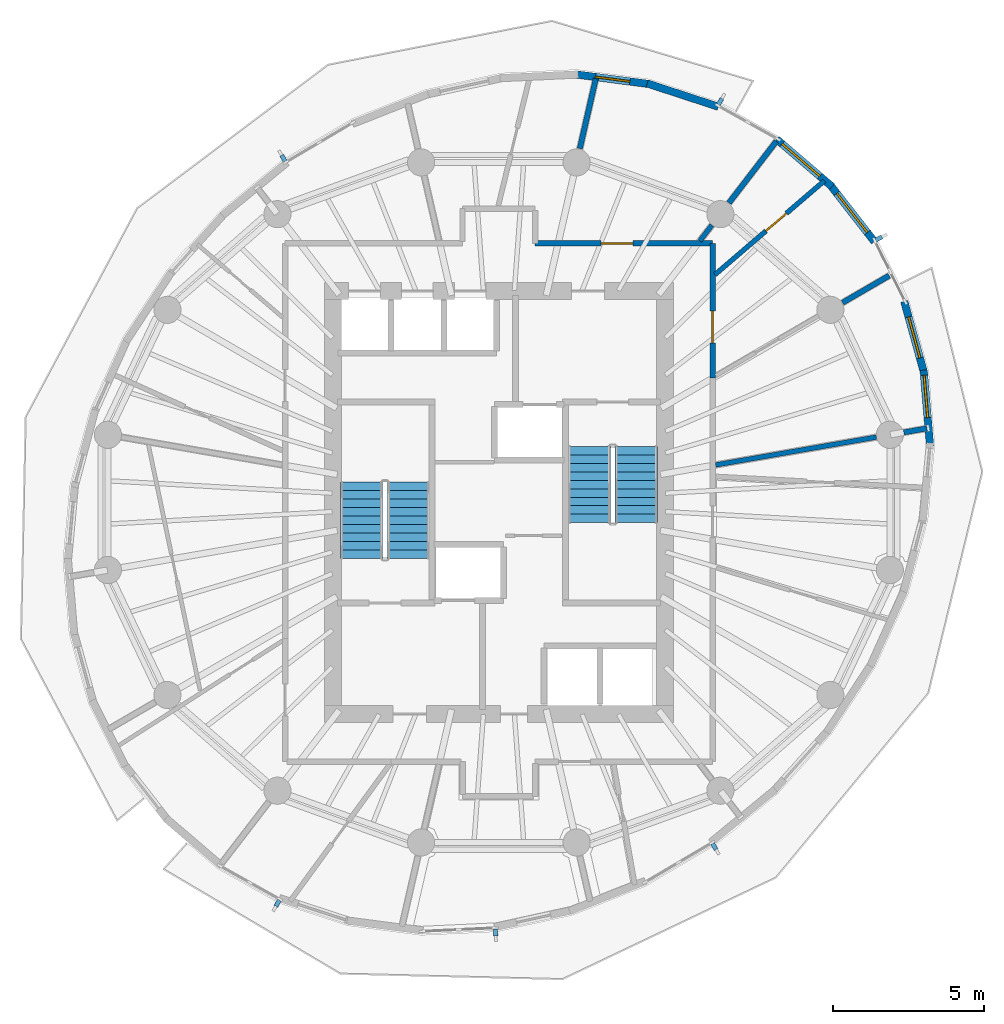
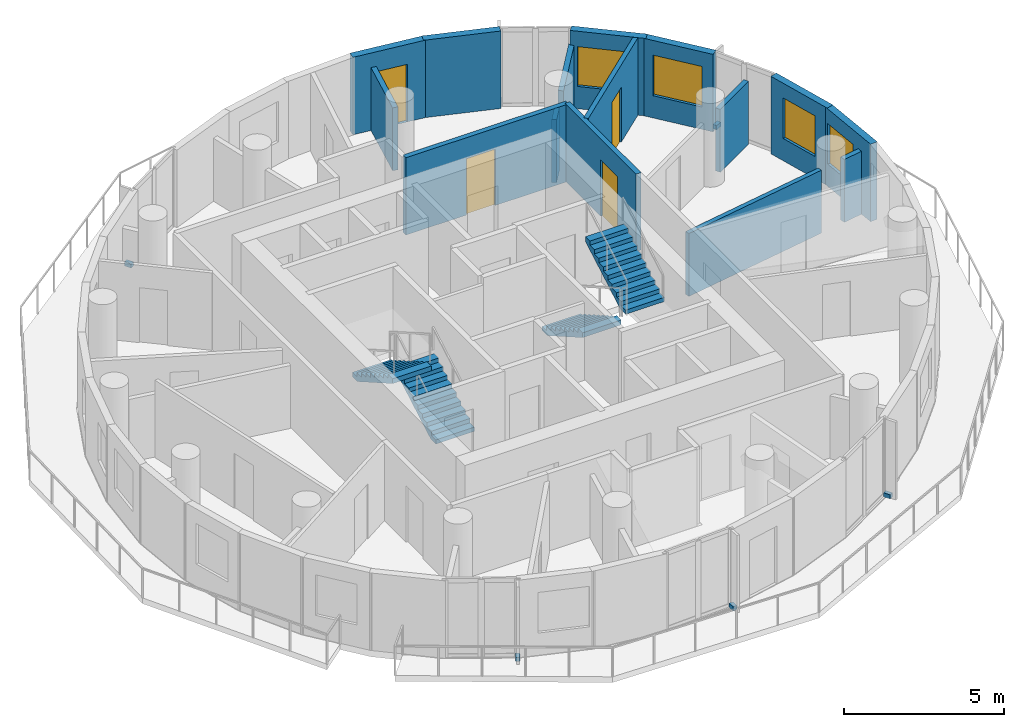
# One storey, part 7 of 10: 15 walls, 6 discrete accessories, 4 doors, 4 stair flights, 4 windows, 8 openings, 2 elements without a shape of their own.
"""IFC4 building model written with IfcOpenShell, lengths in metres."""

from ifc_helpers import new_model, si_unit, direction, frame, frame_2d, origin, origin_2d, place, context, subcontext, project, spatial, polyline, rectangle, outline, extrude, material, layer, layer_set, type_object, element, fill, aggregate, save


model = new_model("IFC4")

# Units and contexts
model_context = context("Model", 3, precision=1e-05, world=origin(), true_north=direction((0.0, 1.0)))
body_context = subcontext(model_context, "Body", "Model", "MODEL_VIEW")
ifc_project = project(units=[si_unit("LENGTHUNIT", "METRE"), si_unit("AREAUNIT", "SQUARE_METRE"), si_unit("VOLUMEUNIT", "CUBIC_METRE"), si_unit("PLANEANGLEUNIT", "RADIAN"), si_unit("MASSUNIT", "GRAM", prefix="KILO")], contexts=[model_context])

# Site, building, storey
site_placement = place(None, origin())
site = spatial("IfcSite", under=ifc_project, at=site_placement, CompositionType="ELEMENT")
building_placement = place(site_placement, origin())
building = spatial("IfcBuilding", under=site, at=building_placement, Name="Veldorim Arch Residences", CompositionType="ELEMENT")
storey_placement = place(building_placement, frame((0.0, 0.0, 179.0400390625)))
storey = spatial("IfcBuildingStorey", under=building, at=storey_placement, Name="L53", CompositionType="ELEMENT", Elevation=179.0400390625)

# Walls
ifc_material_1 = material(Name="Lightweight Masonry Block & Gypsum", Category="masonry")
ifc_layer_1 = layer(ifc_material_1, 0.179931640625, Name="Compartment & Corridor Fire-Rated Party Wall 180")
ifc_layer_set_1 = layer_set([ifc_layer_1], Name="Lightweight Masonry Block & Gypsum")
wall_type_1 = type_object("IfcWallType", Name="Compartment & Corridor Fire-Rated Party Wall 180", PredefinedType="PARTITIONING", material=ifc_layer_set_1)
wall_1_placement = place(storey_placement, frame((45.409423828125, 26.319580078125, 0.0), z_axis=(0.0, 0.0, 1.0), x_axis=(0.985363715758, 0.170465092225, 0.0)))
element("IfcWall", 1, at=wall_1_placement, inside=storey, type_object=wall_type_1, Name="L53 interior wall WL-PIER-L53-01", PredefinedType="PARTITIONING", context=body_context, shape_type="SweptSolid", body=[
    extrude(rectangle(XDim=0.7763671875, YDim=0.179931640625, at=frame_2d((0.38818359375, 0.0))), origin(), (0.0, 0.0, 1.0), 2.4033203125),
])
wall_2_placement = place(storey_placement, frame((43.3818359375, 30.614013671875, 0.0), z_axis=(0.0, 0.0, 1.0), x_axis=(0.86456661279, 0.502518230563, 0.0)))
element("IfcWall", 2, at=wall_2_placement, inside=storey, type_object=wall_type_1, Name="L53 interior wall WL-PIER-L53-02", PredefinedType="PARTITIONING", context=body_context, shape_type="SweptSolid", body=[
    extrude(rectangle(XDim=1.784912109375, YDim=0.179931640625, at=frame_2d((0.892578125, 0.0))), origin(), (0.0, 0.0, 1.0), 2.4033203125),
])
wall_3_placement = place(storey_placement, frame((39.619873046875, 33.91796875, 0.0), z_axis=(0.0, 0.0, 1.0), x_axis=(0.609164681512, 0.793043750873, 0.0)))
element("IfcWall", 3, at=wall_3_placement, inside=storey, type_object=wall_type_1, Name="L53 interior wall WL-PIER-L53-03", PredefinedType="PARTITIONING", context=body_context, shape_type="SweptSolid", body=[
    extrude(rectangle(XDim=2.57177734375, YDim=0.179931640625, at=frame_2d((1.285888671875, 0.0))), origin(), (0.0, 0.0, 1.0), 2.4033203125),
])
wall_4_placement = place(storey_placement, frame((34.679931640625, 35.717529296875, 0.0), z_axis=(0.0, 0.0, 1.0), x_axis=(0.223011847659, 0.974815734282, 0.0)))
element("IfcWall", 4, at=wall_4_placement, inside=storey, type_object=wall_type_1, Name="L53 interior wall WL-PIER-L53-04", PredefinedType="PARTITIONING", context=body_context, shape_type="SweptSolid", body=[
    extrude(rectangle(XDim=2.37451171875, YDim=0.179931640625, at=frame_2d((1.187255859375, 0.0))), origin(), (0.0, 0.0, 1.0), 2.4033203125),
])

# Wall, opening, door
wall_5_placement = place(storey_placement, frame((39.080078125, 32.580078125, 0.0), z_axis=(0.0, 0.0, 1.0), x_axis=(0.0, -1.0, 0.0)))
wall_5 = element("IfcWall", 5, at=wall_5_placement, inside=storey, type_object=wall_type_1, Name="L53 interior wall WL-RES-L53-007", PredefinedType="PARTITIONING", context=body_context, shape_type="SweptSolid", body=[
    extrude(rectangle(XDim=4.4677734375, YDim=0.179931640625, at=frame_2d((2.23388671875, 0.0))), origin(), (0.0, 0.0, 1.0), 2.955078125),
])
opening_1_placement = place(wall_5_placement, frame((2.24609375, 0.0, 0.0)))
opening_1 = element("IfcOpeningElement", 6, at=opening_1_placement, cuts=wall_5, Name="Opening DR-FLT", PredefinedType="OPENING", context=body_context, shape_type="SweptSolid", body=[
    extrude(rectangle(XDim=1.050048828125, YDim=2.14990234375, at=frame_2d((0.52490234375, 1.074951171875))), frame((0.0, 0.099853515625, 0.0), z_axis=(0.0, -1.0, 0.0), x_axis=(1.0, 0.0, 0.0)), (0.0, 0.0, 1.0), 0.199951171875),
])
ifc_material_2 = material(Name="Fire-Rated Timber", Category="wood")
door_type_1 = type_object("IfcDoorType", Name="Apartment Entrance Solid-Core Fire Door 1050x2150", OperationType="SINGLE_SWING_LEFT", PredefinedType="DOOR", material=ifc_material_2)
door_1_placement = place(opening_1_placement, origin())
door_1 = element("IfcDoor", 7, at=door_1_placement, inside=storey, type_object=door_type_1, Name="L53 interior door DR-RES-L53-006", OperationType="SINGLE_SWING_RIGHT", OverallHeight=2.14990234375, OverallWidth=1.050048828125, PredefinedType="DOOR", context=body_context, shape_type="SweptSolid", body=[
    extrude(rectangle(XDim=1.050048828125, YDim=2.14990234375, at=frame_2d((0.52490234375, 1.074951171875))), frame((0.0, 0.02490234375, 0.0), z_axis=(0.0, -1.0, 0.0), x_axis=(1.0, 0.0, 0.0)), (0.0, 0.0, 1.0), 0.050048828125),
])
fill(opening_1, door_1)

wall_6_placement = place(storey_placement, frame((33.199951171875, 32.580078125, 0.0), z_axis=(0.0, 0.0, 1.0), x_axis=(1.0, 0.0, 0.0)))
wall_6 = element("IfcWall", 8, at=wall_6_placement, inside=storey, type_object=wall_type_1, Name="L53 interior wall WL-RES-L53-008", PredefinedType="PARTITIONING", context=body_context, shape_type="SweptSolid", body=[
    extrude(rectangle(XDim=5.880126953125, YDim=0.179931640625, at=frame_2d((2.93994140625, 0.0))), origin(), (0.0, 0.0, 1.0), 2.955078125),
])
opening_2_placement = place(wall_6_placement, frame((2.18359375, 0.0, 0.0)))
opening_2 = element("IfcOpeningElement", 9, at=opening_2_placement, cuts=wall_6, Name="Opening DR-FLT", PredefinedType="OPENING", context=body_context, shape_type="SweptSolid", body=[
    extrude(rectangle(XDim=1.050048828125, YDim=2.14990234375, at=frame_2d((0.52490234375, 1.074951171875))), frame((0.0, 0.099853515625, 0.0), z_axis=(0.0, -1.0, 0.0), x_axis=(1.0, 0.0, 0.0)), (0.0, 0.0, 1.0), 0.199951171875),
])
door_2_placement = place(opening_2_placement, origin())
door_2 = element("IfcDoor", 10, at=door_2_placement, inside=storey, type_object=door_type_1, Name="L53 interior door DR-RES-L53-009", OperationType="SINGLE_SWING_LEFT", OverallHeight=2.14990234375, OverallWidth=1.050048828125, PredefinedType="DOOR", context=body_context, shape_type="SweptSolid", body=[
    extrude(rectangle(XDim=1.050048828125, YDim=2.14990234375, at=frame_2d((0.52490234375, 1.074951171875))), frame((0.0, 0.02490234375, 0.0), z_axis=(0.0, -1.0, 0.0), x_axis=(1.0, 0.0, 0.0)), (0.0, 0.0, 1.0), 0.050048828125),
])
fill(opening_2, door_2)

# Wall, opening, window
ifc_material_3 = material(Name="Precast concrete C40/50", Category="concrete")
ifc_layer_2 = layer(ifc_material_3, 0.25, Name="Tower Terracotta Spandrel & Pier Wall 250")
ifc_layer_set_2 = layer_set([ifc_layer_2], Name="Precast concrete C40/50")
wall_type_2 = type_object("IfcWallType", Name="Tower Terracotta Spandrel & Pier Wall 250", PredefinedType="SOLIDWALL", material=ifc_layer_set_2)
wall_7_placement = place(storey_placement, frame((41.1982421875, 36.02685546875, 0.0), z_axis=(0.0, 0.0, 1.0), x_axis=(0.759591927835, -0.65039995631, 0.0)))
wall_7 = element("IfcWall", 11, at=wall_7_placement, inside=storey, type_object=wall_type_2, Name="L53 terracotta facade wall 01", PredefinedType="SOLIDWALL", context=body_context, shape_type="SweptSolid", body=[
    extrude(rectangle(XDim=2.414794921875, YDim=0.25, at=frame_2d((1.20751953125, 0.0))), origin(), (0.0, 0.0, 1.0), 2.9599609375),
])
opening_3_placement = place(wall_7_placement, frame((0.23388671875, 0.0, 0.85009765625)))
opening_3 = element("IfcOpeningElement", 12, at=opening_3_placement, cuts=wall_7, Name="Opening WN-03", PredefinedType="OPENING", context=body_context, shape_type="SweptSolid", body=[
    extrude(rectangle(XDim=1.64990234375, YDim=1.52001953125, at=frame_2d((0.824951171875, 0.760009765625))), frame((0.0, 0.135009765625, 0.0), z_axis=(0.0, -1.0, 0.0), x_axis=(1.0, 0.0, 0.0)), (0.0, 0.0, 1.0), 0.27001953125),
])
ifc_material_4 = material(Name="Laminated Low-E Glass", Category="glass")
window_type_1 = type_object("IfcWindowType", Name="Residential Wide Window 1650x1550", PartitioningType="SINGLE_PANEL", PredefinedType="WINDOW", material=ifc_material_4)
window_1_placement = place(opening_3_placement, origin())
window_1 = element("IfcWindow", 13, at=window_1_placement, inside=storey, type_object=window_type_1, Name="L53 solar-control facade window 01", OverallHeight=1.52001953125, OverallWidth=1.64990234375, PartitioningType="SINGLE_PANEL", PredefinedType="WINDOW", context=body_context, shape_type="SweptSolid", body=[
    extrude(rectangle(XDim=1.64990234375, YDim=1.52001953125, at=frame_2d((0.824951171875, 0.760009765625))), frame((0.0, 0.030029296875, 0.0), z_axis=(0.0, -1.0, 0.0), x_axis=(1.0, 0.0, 0.0)), (0.0, 0.0, 1.0), 0.06005859375),
])
fill(opening_3, window_1)

# Wall
wall_8_placement = place(storey_placement, frame((36.9140625, 37.874755859375, 0.0), z_axis=(0.0, 0.0, 1.0), x_axis=(0.950422545433, -0.310961388491, 0.0)))
element("IfcWall", 14, at=wall_8_placement, inside=storey, type_object=wall_type_2, Name="L53 terracotta facade wall 03", PredefinedType="SOLIDWALL", context=body_context, shape_type="SweptSolid", body=[
    extrude(rectangle(XDim=2.477783203125, YDim=0.25, at=frame_2d((1.23876953125, 0.0))), origin(), (0.0, 0.0, 1.0), 2.9599609375),
])

# Wall, opening, door
wall_9_placement = place(storey_placement, frame((34.513427734375, 38.17919921875, 0.0), z_axis=(0.0, 0.0, 1.0), x_axis=(0.991491995227, -0.130167674176, 0.0)))
wall_9 = element("IfcWall", 15, at=wall_9_placement, inside=storey, type_object=wall_type_2, Name="L53 terracotta facade wall 04", PredefinedType="SOLIDWALL", context=body_context, shape_type="SweptSolid", body=[
    extrude(rectangle(XDim=2.531982421875, YDim=0.25, at=frame_2d((1.26611328125, 0.0))), origin(), (0.0, 0.0, 1.0), 2.9599609375),
])
opening_4_placement = place(wall_9_placement, frame((0.69091796875, 0.0, 0.0)))
opening_4 = element("IfcOpeningElement", 16, at=opening_4_placement, cuts=wall_9, Name="Opening BL-DR", PredefinedType="OPENING", context=body_context, shape_type="SweptSolid", body=[
    extrude(rectangle(XDim=1.14990234375, YDim=2.199951171875, at=frame_2d((0.574951171875, 1.10009765625))), frame((0.0, 0.135009765625, 0.0), z_axis=(0.0, -1.0, 0.0), x_axis=(1.0, 0.0, 0.0)), (0.0, 0.0, 1.0), 0.27001953125),
])
ifc_material_5 = material(Name="Aluminium & Low-E Glass", Category="aluminium")
door_type_2 = type_object("IfcDoorType", Name="Glazed Planted Balcony Door 1150x2200", OperationType="SINGLE_SWING_LEFT", PredefinedType="DOOR", material=ifc_material_5)
door_3_placement = place(opening_4_placement, origin())
door_3 = element("IfcDoor", 17, at=door_3_placement, inside=storey, type_object=door_type_2, Name="L53 glazed outdoor terrace door BALC-1", OperationType="SINGLE_SWING_RIGHT", OverallHeight=2.199951171875, OverallWidth=1.14990234375, PredefinedType="DOOR", context=body_context, shape_type="SweptSolid", body=[
    extrude(rectangle(XDim=1.14990234375, YDim=2.199951171875, at=frame_2d((0.574951171875, 1.10009765625))), frame((0.0, 0.02490234375, 0.0), z_axis=(0.0, -1.0, 0.0), x_axis=(1.0, 0.0, 0.0)), (0.0, 0.0, 1.0), 0.050048828125),
])
fill(opening_4, door_3)

# Wall, opening, window
wall_10_placement = place(storey_placement, frame((46.06640625, 28.380615234375, 0.0), z_axis=(0.0, 0.0, 1.0), x_axis=(0.084274320236, -0.996442591898, 0.0)))
wall_10 = element("IfcWall", 18, at=wall_10_placement, inside=storey, type_object=wall_type_2, Name="L53 terracotta facade wall 33", PredefinedType="SOLIDWALL", context=body_context, shape_type="SweptSolid", body=[
    extrude(rectangle(XDim=2.531982421875, YDim=0.25, at=frame_2d((1.26611328125, 0.0))), origin(), (0.0, 0.0, 1.0), 2.9599609375),
])
opening_5_placement = place(wall_10_placement, frame((0.175048828125, 0.0, 0.85009765625)))
opening_5 = element("IfcOpeningElement", 19, at=opening_5_placement, cuts=wall_10, Name="Opening WN-02", PredefinedType="OPENING", context=body_context, shape_type="SweptSolid", body=[
    extrude(rectangle(XDim=1.39990234375, YDim=1.550048828125, at=frame_2d((0.699951171875, 0.77490234375))), frame((0.0, 0.135009765625, 0.0), z_axis=(0.0, -1.0, 0.0), x_axis=(1.0, 0.0, 0.0)), (0.0, 0.0, 1.0), 0.27001953125),
])
ifc_material_6 = material(Name="Laminated Low-E Glass", Category="glass")
window_type_2 = type_object("IfcWindowType", Name="Residential Casement Window 1400x1550", PartitioningType="SINGLE_PANEL", PredefinedType="WINDOW", material=ifc_material_6)
window_2_placement = place(opening_5_placement, origin())
window_2 = element("IfcWindow", 20, at=window_2_placement, inside=storey, type_object=window_type_2, Name="L53 solar-control facade window 33", OverallHeight=1.550048828125, OverallWidth=1.39990234375, PartitioningType="SINGLE_PANEL", PredefinedType="WINDOW", context=body_context, shape_type="SweptSolid", body=[
    extrude(rectangle(XDim=1.39990234375, YDim=1.550048828125, at=frame_2d((0.699951171875, 0.77490234375))), frame((0.0, 0.030029296875, 0.0), z_axis=(0.0, -1.0, 0.0), x_axis=(1.0, 0.0, 0.0)), (0.0, 0.0, 1.0), 0.06005859375),
])
fill(opening_5, window_2)

wall_11_placement = place(storey_placement, frame((45.42529296875, 30.65771484375, 0.0), z_axis=(0.0, 0.0, 1.0), x_axis=(0.266734060973, -0.96377017007, 0.0)))
wall_11 = element("IfcWall", 21, at=wall_11_placement, inside=storey, type_object=wall_type_2, Name="L53 terracotta facade wall 34", PredefinedType="SOLIDWALL", context=body_context, shape_type="SweptSolid", body=[
    extrude(rectangle(XDim=2.477783203125, YDim=0.25, at=frame_2d((1.23876953125, 0.0))), origin(), (0.0, 0.0, 1.0), 2.9599609375),
])
opening_6_placement = place(wall_11_placement, frame((0.5390625, 0.0, 0.85009765625)))
opening_6 = element("IfcOpeningElement", 22, at=opening_6_placement, cuts=wall_11, Name="Opening WN-02", PredefinedType="OPENING", context=body_context, shape_type="SweptSolid", body=[
    extrude(rectangle(XDim=1.39990234375, YDim=1.550048828125, at=frame_2d((0.699951171875, 0.77490234375))), frame((0.0, 0.135009765625, 0.0), z_axis=(0.0, -1.0, 0.0), x_axis=(1.0, 0.0, 0.0)), (0.0, 0.0, 1.0), 0.27001953125),
])
window_3_placement = place(opening_6_placement, origin())
window_3 = element("IfcWindow", 23, at=window_3_placement, inside=storey, type_object=window_type_2, Name="L53 solar-control facade window 34", OverallHeight=1.550048828125, OverallWidth=1.39990234375, PartitioningType="SINGLE_PANEL", PredefinedType="WINDOW", context=body_context, shape_type="SweptSolid", body=[
    extrude(rectangle(XDim=1.39990234375, YDim=1.550048828125, at=frame_2d((0.699951171875, 0.77490234375))), frame((0.0, 0.030029296875, 0.0), z_axis=(0.0, -1.0, 0.0), x_axis=(1.0, 0.0, 0.0)), (0.0, 0.0, 1.0), 0.06005859375),
])
fill(opening_6, window_3)

wall_12_placement = place(storey_placement, frame((42.953369140625, 34.539306640625, 0.0), z_axis=(0.0, 0.0, 1.0), x_axis=(0.61468225386, -0.788774826417, 0.0)))
wall_12 = element("IfcWall", 24, at=wall_12_placement, inside=storey, type_object=wall_type_2, Name="L53 terracotta facade wall 36", PredefinedType="SOLIDWALL", context=body_context, shape_type="SweptSolid", body=[
    extrude(rectangle(XDim=2.414794921875, YDim=0.25, at=frame_2d((1.20751953125, 0.0))), origin(), (0.0, 0.0, 1.0), 2.9599609375),
])
opening_7_placement = place(wall_12_placement, frame((0.382080078125, 0.0, 0.85009765625)))
opening_7 = element("IfcOpeningElement", 25, at=opening_7_placement, cuts=wall_12, Name="Opening WN-03", PredefinedType="OPENING", context=body_context, shape_type="SweptSolid", body=[
    extrude(rectangle(XDim=1.64990234375, YDim=1.550048828125, at=frame_2d((0.824951171875, 0.77490234375))), frame((0.0, 0.135009765625, 0.0), z_axis=(0.0, -1.0, 0.0), x_axis=(1.0, 0.0, 0.0)), (0.0, 0.0, 1.0), 0.27001953125),
])
window_4_placement = place(opening_7_placement, origin())
window_4 = element("IfcWindow", 26, at=window_4_placement, inside=storey, type_object=window_type_1, Name="L53 solar-control facade window 36", OverallHeight=1.550048828125, OverallWidth=1.64990234375, PartitioningType="SINGLE_PANEL", PredefinedType="WINDOW", context=body_context, shape_type="SweptSolid", body=[
    extrude(rectangle(XDim=1.64990234375, YDim=1.550048828125, at=frame_2d((0.824951171875, 0.77490234375))), frame((0.0, 0.030029296875, 0.0), z_axis=(0.0, -1.0, 0.0), x_axis=(1.0, 0.0, 0.0)), (0.0, 0.0, 1.0), 0.06005859375),
])
fill(opening_7, window_4)

# Wall
ifc_material_7 = material(Name="Moisture-Resistant Gypsum & Stud", Category="gypsum")
ifc_layer_3 = layer(ifc_material_7, 0.159912109375, Name="Wet-Area Moisture-Resistant Plumbing Wall 160")
ifc_layer_set_3 = layer_set([ifc_layer_3], Name="Moisture-Resistant Gypsum & Stud")
wall_type_3 = type_object("IfcWallType", Name="Wet-Area Moisture-Resistant Plumbing Wall 160", PredefinedType="PLUMBINGWALL", material=ifc_layer_set_3)
wall_13_placement = place(storey_placement, frame((39.178466796875, 25.24169921875, 0.0), z_axis=(0.0, 0.0, 1.0), x_axis=(0.985362047777, 0.170474733611, 0.0)))
element("IfcWall", 27, at=wall_13_placement, inside=storey, type_object=wall_type_3, Name="L53 interior wall WL-RES-L53-021", PredefinedType="PLUMBINGWALL", context=body_context, shape_type="SweptSolid", body=[
    extrude(rectangle(XDim=5.399169921875, YDim=0.159912109375, at=frame_2d((2.69970703125, 0.0))), origin(), (0.0, 0.0, 1.0), 2.4033203125),
])

# Wall, opening, door
wall_14_placement = place(storey_placement, frame((39.156005859375, 31.5439453125, 0.0), z_axis=(0.0, 0.0, 1.0), x_axis=(0.759083333315, 0.650993466238, 0.0)))
wall_14 = element("IfcWall", 28, at=wall_14_placement, inside=storey, type_object=wall_type_3, Name="L53 interior wall WL-RES-L53-022", PredefinedType="PLUMBINGWALL", context=body_context, shape_type="SweptSolid", body=[
    extrude(rectangle(XDim=4.77490234375, YDim=0.159912109375, at=frame_2d((2.387451171875, 0.0))), origin(), (0.0, 0.0, 1.0), 2.955078125),
])
opening_8_placement = place(wall_14_placement, frame((2.21728515625, 0.0, 0.0)))
opening_8 = element("IfcOpeningElement", 29, at=opening_8_placement, cuts=wall_14, Name="Opening DR-WC", PredefinedType="OPENING", context=body_context, shape_type="SweptSolid", body=[
    extrude(rectangle(XDim=0.89990234375, YDim=2.10009765625, at=frame_2d((0.449951171875, 1.050048828125))), frame((0.0, 0.08984375, 0.0), z_axis=(0.0, -1.0, 0.0), x_axis=(1.0, 0.0, 0.0)), (0.0, 0.0, 1.0), 0.179931640625),
])
ifc_material_8 = material(Name="Laminate Timber", Category="wood")
door_type_3 = type_object("IfcDoorType", Name="Bathroom & Accessible WC Moisture-Sealed Door 900x2100", OperationType="SINGLE_SWING_LEFT", PredefinedType="DOOR", material=ifc_material_8)
door_4_placement = place(opening_8_placement, origin())
door_4 = element("IfcDoor", 30, at=door_4_placement, inside=storey, type_object=door_type_3, Name="L53 interior door DR-RES-L53-007", OperationType="SINGLE_SWING_LEFT", OverallHeight=2.10009765625, OverallWidth=0.89990234375, PredefinedType="DOOR", context=body_context, shape_type="SweptSolid", body=[
    extrude(rectangle(XDim=0.89990234375, YDim=2.10009765625, at=frame_2d((0.449951171875, 1.050048828125))), frame((0.0, 0.02490234375, 0.0), z_axis=(0.0, -1.0, 0.0), x_axis=(1.0, 0.0, 0.0)), (0.0, 0.0, 1.0), 0.050048828125),
])
fill(opening_8, door_4)

# Wall
wall_15_placement = place(storey_placement, frame((38.65283203125, 32.6591796875, 0.0), z_axis=(0.0, 0.0, 1.0), x_axis=(0.609101063055, 0.79309261438, 0.0)))
element("IfcWall", 31, at=wall_15_placement, inside=storey, type_object=wall_type_3, Name="L53 interior wall WL-RES-L53-024", PredefinedType="PLUMBINGWALL", context=body_context, shape_type="SweptSolid", body=[
    extrude(rectangle(XDim=0.658203125, YDim=0.159912109375, at=frame_2d((0.3291015625, 0.0))), origin(), (0.0, 0.0, 1.0), 2.4033203125),
])

# Stair, stair flights
ifc_material_9 = material(Name="Concrete C40/50", Category="concrete")
stair_type = type_object("IfcStairType", Name="Reinforced Concrete Dogleg Exit Staircase", PredefinedType="HALF_TURN_STAIR", material=ifc_material_9)
stair_1_placement = place(storey_placement, origin())
stair_1 = element("IfcStair", 32, at=stair_1_placement, inside=storey, type_object=stair_type, Name="L53 Exit Staircase ST-1", PredefinedType="HALF_TURN_STAIR")
ifc_material_10 = material(Name="Concrete C40/50", Category="concrete")
stair_flight_type = type_object("IfcStairFlightType", Name="Reinforced Concrete Stair Flight 1400", PredefinedType="STRAIGHT", material=ifc_material_10)
stair_flight_1_placement = place(storey_placement, frame((29.010009765625, 22.14990234375, 0.0), z_axis=(0.0, 0.0, 1.0), x_axis=(0.0, 1.0, 0.0)))
stair_flight_1 = element("IfcStairFlight", 33, at=stair_flight_1_placement, type_object=stair_flight_type, Name="ST-1 flight 1", NumberOfRisers=10, NumberOfTreads=9, PredefinedType="STRAIGHT", RiserHeight=0.16, TreadLength=0.28, context=body_context, shape_type="SweptSolid", body=[
    extrude(outline(polyline([(0.0, 0.0), (0.0, 0.159912109375), (0.280029296875, 0.159912109375), (0.280029296875, 0.320068359375), (0.56005859375, 0.320068359375), (0.56005859375, 0.47998046875), (0.840087890625, 0.47998046875), (0.840087890625, 0.639892578125), (1.1201171875, 0.639892578125), (1.1201171875, 0.800048828125), (1.39990234375, 0.800048828125), (1.39990234375, 0.9599609375), (1.679931640625, 0.9599609375), (1.679931640625, 1.1201171875), (1.9599609375, 1.1201171875), (1.9599609375, 1.280029296875), (2.239990234375, 1.280029296875), (2.239990234375, 1.43994140625), (2.52001953125, 1.43994140625), (2.52001953125, 1.60009765625), (2.52001953125, 1.255859375), (0.322265625, 0.0), (0.0, 0.0)])), frame((0.0, 0.699951171875, 0.0), z_axis=(0.0, -1.0, 0.0), x_axis=(1.0, 0.0, 0.0)), (0.0, 0.0, 1.0), 1.39990234375),
])
stair_flight_2_placement = place(storey_placement, frame((27.449951171875, 24.669921875, 1.599853515625), z_axis=(0.0, 0.0, 1.0), x_axis=(0.0, -1.0, 0.0)))
stair_flight_2 = element("IfcStairFlight", 34, at=stair_flight_2_placement, type_object=stair_flight_type, Name="ST-1 flight 2", NumberOfRisers=10, NumberOfTreads=9, PredefinedType="STRAIGHT", RiserHeight=0.16, TreadLength=0.28, context=body_context, shape_type="SweptSolid", body=[
    extrude(outline(polyline([(0.0, 0.0), (0.0, 0.159912109375), (0.280029296875, 0.159912109375), (0.280029296875, 0.320068359375), (0.56005859375, 0.320068359375), (0.56005859375, 0.47998046875), (0.840087890625, 0.47998046875), (0.840087890625, 0.639892578125), (1.1201171875, 0.639892578125), (1.1201171875, 0.800048828125), (1.39990234375, 0.800048828125), (1.39990234375, 0.9599609375), (1.679931640625, 0.9599609375), (1.679931640625, 1.1201171875), (1.9599609375, 1.1201171875), (1.9599609375, 1.280029296875), (2.239990234375, 1.280029296875), (2.239990234375, 1.43994140625), (2.52001953125, 1.43994140625), (2.52001953125, 1.60009765625), (2.52001953125, 1.255859375), (0.322265625, 0.0), (0.0, 0.0)])), frame((0.0, 0.699951171875, 0.0), z_axis=(0.0, -1.0, 0.0), x_axis=(1.0, 0.0, 0.0)), (0.0, 0.0, 1.0), 1.39990234375),
])
aggregate(stair_1, [stair_flight_1, stair_flight_2])

stair_2_placement = place(storey_placement, origin())
stair_2 = element("IfcStair", 35, at=stair_2_placement, inside=storey, type_object=stair_type, Name="L53 Exit Staircase ST-2", PredefinedType="HALF_TURN_STAIR")
stair_flight_3_placement = place(storey_placement, frame((34.989990234375, 25.85009765625, 0.0), z_axis=(0.0, 0.0, 1.0), x_axis=(0.0, -1.0, 0.0)))
stair_flight_3 = element("IfcStairFlight", 36, at=stair_flight_3_placement, type_object=stair_flight_type, Name="ST-2 flight 1", NumberOfRisers=10, NumberOfTreads=9, PredefinedType="STRAIGHT", RiserHeight=0.16, TreadLength=0.28, context=body_context, shape_type="SweptSolid", body=[
    extrude(outline(polyline([(0.0, 0.0), (0.0, 0.159912109375), (0.280029296875, 0.159912109375), (0.280029296875, 0.320068359375), (0.56005859375, 0.320068359375), (0.56005859375, 0.47998046875), (0.840087890625, 0.47998046875), (0.840087890625, 0.639892578125), (1.1201171875, 0.639892578125), (1.1201171875, 0.800048828125), (1.39990234375, 0.800048828125), (1.39990234375, 0.9599609375), (1.679931640625, 0.9599609375), (1.679931640625, 1.1201171875), (1.9599609375, 1.1201171875), (1.9599609375, 1.280029296875), (2.239990234375, 1.280029296875), (2.239990234375, 1.43994140625), (2.52001953125, 1.43994140625), (2.52001953125, 1.60009765625), (2.52001953125, 1.255859375), (0.322265625, 0.0), (0.0, 0.0)])), frame((0.0, 0.699951171875, 0.0), z_axis=(0.0, -1.0, 0.0), x_axis=(1.0, 0.0, 0.0)), (0.0, 0.0, 1.0), 1.39990234375),
])
stair_flight_4_placement = place(storey_placement, frame((36.550048828125, 23.330078125, 1.599853515625), z_axis=(0.0, 0.0, 1.0), x_axis=(0.0, 1.0, 0.0)))
stair_flight_4 = element("IfcStairFlight", 37, at=stair_flight_4_placement, type_object=stair_flight_type, Name="ST-2 flight 2", NumberOfRisers=10, NumberOfTreads=9, PredefinedType="STRAIGHT", RiserHeight=0.16, TreadLength=0.28, context=body_context, shape_type="SweptSolid", body=[
    extrude(outline(polyline([(0.0, 0.0), (0.0, 0.159912109375), (0.280029296875, 0.159912109375), (0.280029296875, 0.320068359375), (0.56005859375, 0.320068359375), (0.56005859375, 0.47998046875), (0.840087890625, 0.47998046875), (0.840087890625, 0.639892578125), (1.1201171875, 0.639892578125), (1.1201171875, 0.800048828125), (1.39990234375, 0.800048828125), (1.39990234375, 0.9599609375), (1.679931640625, 0.9599609375), (1.679931640625, 1.1201171875), (1.9599609375, 1.1201171875), (1.9599609375, 1.280029296875), (2.239990234375, 1.280029296875), (2.239990234375, 1.43994140625), (2.52001953125, 1.43994140625), (2.52001953125, 1.60009765625), (2.52001953125, 1.255859375), (0.322265625, 0.0), (0.0, 0.0)])), frame((0.0, 0.699951171875, 0.0), z_axis=(0.0, -1.0, 0.0), x_axis=(1.0, 0.0, 0.0)), (0.0, 0.0, 1.0), 1.39990234375),
])
aggregate(stair_2, [stair_flight_3, stair_flight_4])

# Discrete accessories
ifc_material_11 = material(Name="Stainless Steel", Category="steel")
discrete_accessory_type = type_object("IfcDiscreteAccessoryType", Name="Stainless Steel Facade Fin Anchor Bracket", PredefinedType="BRACKET", material=ifc_material_11)
for number, where, z_axis, x_axis, name in (
    (38, (39.325927734375, 37.26904296875, -0.02001953125), (0.0, 0.0, 1.0), (0.873007211547, -0.487707298065, 0.0), "L53 stainless fin anchor bracket 02"),
    (39, (24.86767578125, 35.392578125, -0.02001953125), (0.0, 0.0, 1.0), (0.861097195167, 0.508440380454, 0.0), "L53 stainless fin anchor bracket 08"),
    (40, (24.674072265625, 10.73095703125, -0.02001953125), (0.0, 0.0, 1.0), (-0.873007211547, 0.487707298065, 0.0), "L53 stainless fin anchor bracket 20"),
    (41, (31.890380859375, 9.760498046875, -0.02001953125), (0.0, 0.0, 1.0), (-0.998906257359, -0.046757769503, 0.0), "L53 stainless fin anchor bracket 23"),
    (42, (39.13232421875, 12.607421875, -0.02001953125), (0.0, 0.0, 1.0), (-0.861097195167, -0.508440380454, 0.0), "L53 stainless fin anchor bracket 26"),
    (43, (44.576904296875, 32.739013671875, -0.02001953125), (0.0, 0.0, 1.0), (0.446978620671, -0.894544639838, 0.0), "L53 stainless fin anchor bracket 35"),
):
    element("IfcDiscreteAccessory", number, at=place(storey_placement, frame(where, z_axis=z_axis, x_axis=x_axis)), inside=storey, type_object=discrete_accessory_type, Name=name, PredefinedType="BRACKET", context=body_context, shape_type="SweptSolid", body=[
        extrude(rectangle(XDim=0.139892578125, YDim=0.239990234375, at=origin_2d()), origin(), (0.0, 0.0, 1.0), 0.159912109375),
    ])

save(model, "model.ifc")
